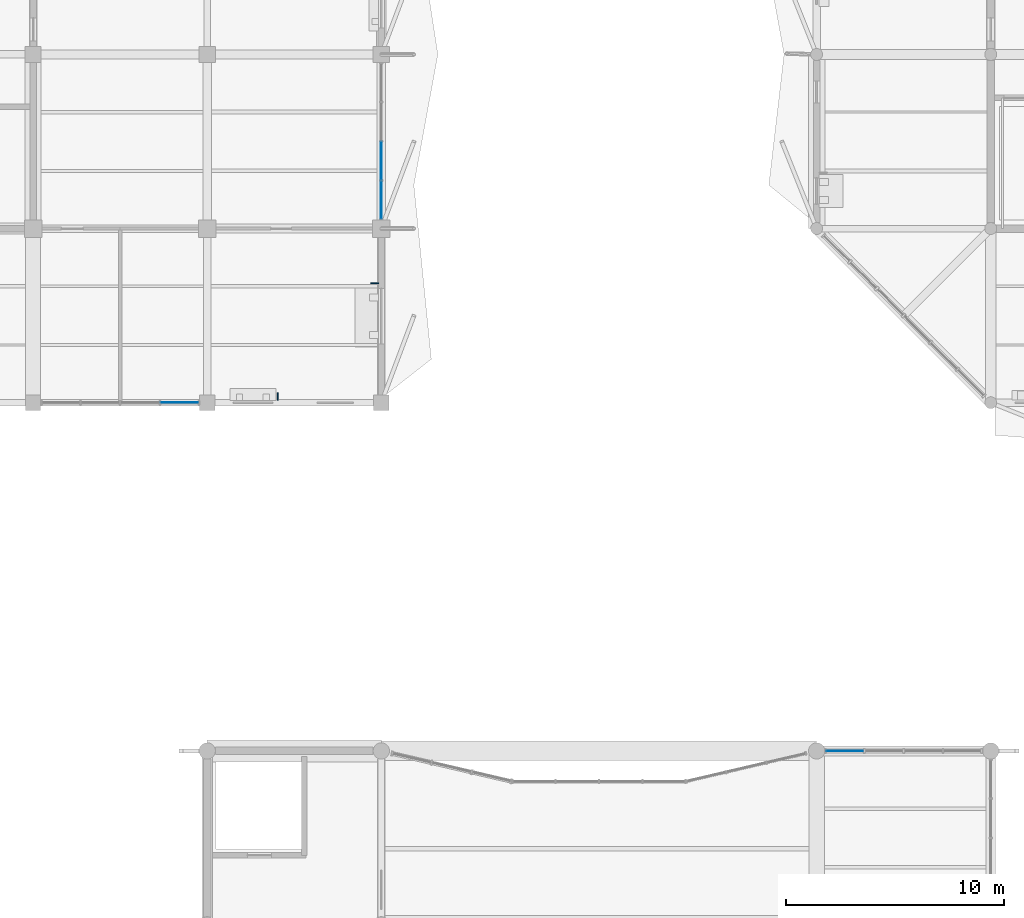
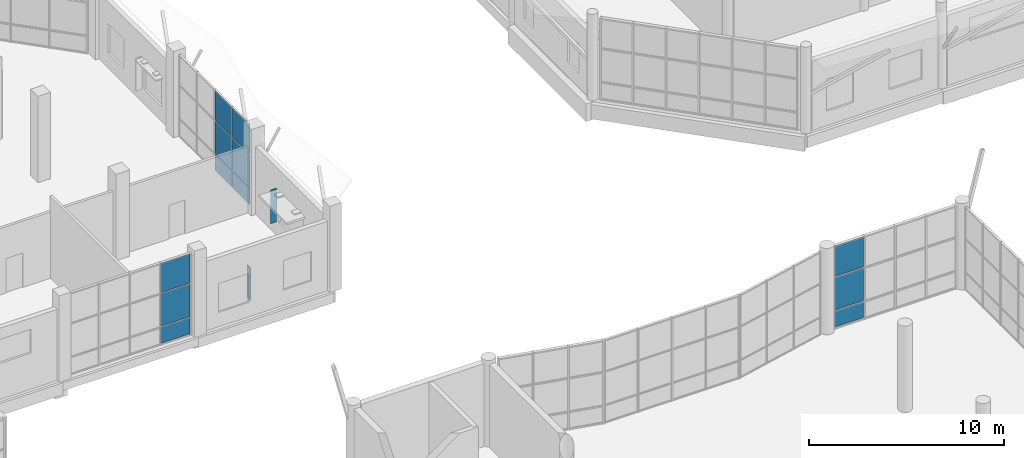
# One storey, part 86 of 122: 14 plates, 3 elements without a shape of their own.
"""IFC4 building model written with IfcOpenShell, lengths in metres."""

from ifc_helpers import new_model, si_unit, direction, frame, origin, origin_2d, place, context, subcontext, project, spatial, rectangle, extrude, material, layer, layer_set, type_object, element, aggregate, save


model = new_model("IFC4")

# Units and contexts
model_context = context("Model", 3, precision=1e-05, world=origin(), true_north=direction((0.0, 1.0)))
body_context = subcontext(model_context, "Body", "Model", "MODEL_VIEW")
ifc_project = project(units=[si_unit("LENGTHUNIT", "METRE"), si_unit("AREAUNIT", "SQUARE_METRE"), si_unit("VOLUMEUNIT", "CUBIC_METRE"), si_unit("PLANEANGLEUNIT", "RADIAN"), si_unit("MASSUNIT", "GRAM", prefix="KILO")], contexts=[model_context])

# Site, building, storey
site_placement = place(None, origin())
site = spatial("IfcSite", under=ifc_project, at=site_placement, CompositionType="ELEMENT")
building_placement = place(site_placement, origin())
building = spatial("IfcBuilding", under=site, at=building_placement, Name="Tenunan Teduh Sports Hall", CompositionType="ELEMENT")
storey_placement = place(building_placement, frame((0.0, 0.0, 5.39990234375)))
storey = spatial("IfcBuildingStorey", under=building, at=storey_placement, Name="L01", CompositionType="ELEMENT", Elevation=5.39990234375)

# Curtain wall, plates
ifc_material_1 = material(Name="Anodised aluminium", Category="aluminium")
curtain_wall_type = type_object("IfcCurtainWallType", Name="CW-UNIT-1", PredefinedType="NOTDEFINED", material=ifc_material_1)
curtain_wall_1_placement = place(storey_placement, origin())
curtain_wall_1 = element("IfcCurtainWall", 1, at=curtain_wall_1_placement, inside=storey, type_object=curtain_wall_type, Name="CW-CWM-175-L01-202", PredefinedType="NOTDEFINED")
ifc_material_2 = material(Name="Low-E laminated double glazing", Category="glass")
ifc_layer_1 = layer(ifc_material_2, 0.028076171875)
ifc_layer_set_1 = layer_set([ifc_layer_1], Name="Low-E laminated double glazing")
plate_type_1 = type_object("IfcPlateType", Name="CWP-GLZ-28", PredefinedType="CURTAIN_PANEL", material=ifc_layer_set_1)
plate_1_placement = place(storey_placement, frame((68.72119140625, 86.0, 1.1328125), z_axis=(0.0, 0.0, 1.0), x_axis=(1.0, 0.0, 0.0)))
plate_1 = element("IfcPlate", 2, at=plate_1_placement, type_object=plate_type_1, Name="CW-01 panel 4.2", PredefinedType="CURTAIN_PANEL", context=body_context, shape_type="SweptSolid", body=[
    extrude(rectangle(XDim=1.7275390625, YDim=0.028076171875, at=origin_2d()), origin(), (0.0, 0.0, 1.0), 2.034912109375),
])
plate_2_placement = place(storey_placement, frame((68.72119140625, 86.0, 3.232421875), z_axis=(0.0, 0.0, 1.0), x_axis=(1.0, 0.0, 0.0)))
plate_2 = element("IfcPlate", 3, at=plate_2_placement, type_object=plate_type_1, Name="CW-01 panel 4.3", PredefinedType="CURTAIN_PANEL", context=body_context, shape_type="SweptSolid", body=[
    extrude(rectangle(XDim=1.7275390625, YDim=0.028076171875, at=origin_2d()), origin(), (0.0, 0.0, 1.0), 1.822509765625),
])

curtain_wall_2_placement = place(storey_placement, origin())
curtain_wall_2 = element("IfcCurtainWall", 4, at=curtain_wall_2_placement, inside=storey, type_object=curtain_wall_type, Name="CW-CWM-220-L01-165", PredefinedType="NOTDEFINED")
ifc_material_3 = material(Name="Solar-control laminated glazing", Category="glass")
ifc_layer_2 = layer(ifc_material_3, 0.031982421875)
ifc_layer_set_2 = layer_set([ifc_layer_2], Name="Solar-control laminated glazing")
plate_type_2 = type_object("IfcPlateType", Name="CWP-GLZ-32", PredefinedType="CURTAIN_PANEL", material=ifc_layer_set_2)
plate_3_placement = place(storey_placement, frame((99.300048828125, 70.0, 1.1376953125), z_axis=(0.0, 0.0, 1.0), x_axis=(1.0, 0.0, 0.0)))
plate_3 = element("IfcPlate", 5, at=plate_3_placement, type_object=plate_type_2, Name="CW-01 panel 1.2", PredefinedType="CURTAIN_PANEL", context=body_context, shape_type="SweptSolid", body=[
    extrude(rectangle(XDim=1.699951171875, YDim=0.031982421875, at=origin_2d()), origin(), (0.0, 0.0, 1.0), 2.02490234375),
])
plate_4_placement = place(storey_placement, frame((99.300048828125, 70.0, 3.23779296875), z_axis=(0.0, 0.0, 1.0), x_axis=(1.0, 0.0, 0.0)))
plate_4 = element("IfcPlate", 6, at=plate_4_placement, type_object=plate_type_2, Name="CW-01 panel 1.3", PredefinedType="CURTAIN_PANEL", context=body_context, shape_type="SweptSolid", body=[
    extrude(rectangle(XDim=1.699951171875, YDim=0.031982421875, at=origin_2d()), origin(), (0.0, 0.0, 1.0), 1.887451171875),
])

curtain_wall_3_placement = place(storey_placement, origin())
curtain_wall_3 = element("IfcCurtainWall", 7, at=curtain_wall_3_placement, inside=storey, type_object=curtain_wall_type, Name="CW-CWM-150-L01-203", PredefinedType="NOTDEFINED")
plate_5_placement = place(storey_placement, frame((78.0, 95.318115234375, 1.130126953125), z_axis=(0.0, 0.0, 1.0), x_axis=(0.0, 1.0, 0.0)))
plate_5 = element("IfcPlate", 8, at=plate_5_placement, type_object=plate_type_2, Name="CW-01 panel 1.2", PredefinedType="CURTAIN_PANEL", context=body_context, shape_type="SweptSolid", body=[
    extrude(rectangle(XDim=1.71630859375, YDim=0.031982421875, at=origin_2d()), origin(), (0.0, 0.0, 1.0), 2.0400390625),
])
plate_6_placement = place(storey_placement, frame((78.0, 95.318115234375, 3.22998046875), z_axis=(0.0, 0.0, 1.0), x_axis=(0.0, 1.0, 0.0)))
plate_6 = element("IfcPlate", 9, at=plate_6_placement, type_object=plate_type_2, Name="CW-01 panel 1.3", PredefinedType="CURTAIN_PANEL", context=body_context, shape_type="SweptSolid", body=[
    extrude(rectangle(XDim=1.71630859375, YDim=0.031982421875, at=origin_2d()), origin(), (0.0, 0.0, 1.0), 1.830078125),
])
plate_7_placement = place(storey_placement, frame((78.0, 97.109375, 1.130126953125), z_axis=(0.0, 0.0, 1.0), x_axis=(0.0, 1.0, 0.0)))
plate_7 = element("IfcPlate", 10, at=plate_7_placement, type_object=plate_type_2, Name="CW-01 panel 2.2", PredefinedType="CURTAIN_PANEL", context=body_context, shape_type="SweptSolid", body=[
    extrude(rectangle(XDim=1.746337890625, YDim=0.031982421875, at=origin_2d()), origin(), (0.0, 0.0, 1.0), 2.0400390625),
])
plate_8_placement = place(storey_placement, frame((78.0, 97.109375, 3.22998046875), z_axis=(0.0, 0.0, 1.0), x_axis=(0.0, 1.0, 0.0)))
plate_8 = element("IfcPlate", 11, at=plate_8_placement, type_object=plate_type_2, Name="CW-01 panel 2.3", PredefinedType="CURTAIN_PANEL", context=body_context, shape_type="SweptSolid", body=[
    extrude(rectangle(XDim=1.746337890625, YDim=0.031982421875, at=origin_2d()), origin(), (0.0, 0.0, 1.0), 1.830078125),
])

# Plate
ifc_material_4 = material(Name="Insulated aluminium spandrel panel", Category="aluminium")
ifc_layer_3 = layer(ifc_material_4, 0.044921875)
ifc_layer_set_3 = layer_set([ifc_layer_3], Name="Insulated aluminium spandrel panel")
plate_type_3 = type_object("IfcPlateType", Name="CWP-SPN-45", PredefinedType="CURTAIN_PANEL", material=ifc_layer_set_3)
plate_9_placement = place(storey_placement, frame((99.300048828125, 70.0, 0.0751953125), z_axis=(0.0, 0.0, 1.0), x_axis=(1.0, 0.0, 0.0)))
plate_9 = element("IfcPlate", 12, at=plate_9_placement, type_object=plate_type_3, Name="CW-01 panel 1.1", PredefinedType="CURTAIN_PANEL", context=body_context, shape_type="SweptSolid", body=[
    extrude(rectangle(XDim=1.699951171875, YDim=0.031982421875, at=origin_2d()), origin(), (0.0, 0.0, 1.0), 0.987548828125),
])

aggregate(curtain_wall_2, [plate_9, plate_3, plate_4])

plate_10_placement = place(storey_placement, frame((68.72119140625, 86.0, 0.065185546875), z_axis=(0.0, 0.0, 1.0), x_axis=(1.0, 0.0, 0.0)))
plate_10 = element("IfcPlate", 13, at=plate_10_placement, type_object=plate_type_3, Name="CW-01 panel 4.1", PredefinedType="CURTAIN_PANEL", context=body_context, shape_type="SweptSolid", body=[
    extrude(rectangle(XDim=1.7275390625, YDim=0.028076171875, at=origin_2d()), origin(), (0.0, 0.0, 1.0), 1.00244140625),
])

aggregate(curtain_wall_1, [plate_10, plate_1, plate_2])

plate_11_placement = place(storey_placement, frame((78.0, 95.318115234375, 0.06005859375), z_axis=(0.0, 0.0, 1.0), x_axis=(0.0, 1.0, 0.0)))
plate_11 = element("IfcPlate", 14, at=plate_11_placement, type_object=plate_type_3, Name="CW-01 panel 1.1", PredefinedType="CURTAIN_PANEL", context=body_context, shape_type="SweptSolid", body=[
    extrude(rectangle(XDim=1.71630859375, YDim=0.031982421875, at=origin_2d()), origin(), (0.0, 0.0, 1.0), 1.010009765625),
])

plate_12_placement = place(storey_placement, frame((78.0, 97.109375, 0.06005859375), z_axis=(0.0, 0.0, 1.0), x_axis=(0.0, 1.0, 0.0)))
plate_12 = element("IfcPlate", 15, at=plate_12_placement, type_object=plate_type_3, Name="CW-01 panel 2.1", PredefinedType="CURTAIN_PANEL", context=body_context, shape_type="SweptSolid", body=[
    extrude(rectangle(XDim=1.746337890625, YDim=0.031982421875, at=origin_2d()), origin(), (0.0, 0.0, 1.0), 1.010009765625),
])

aggregate(curtain_wall_3, [plate_11, plate_5, plate_6, plate_12, plate_7, plate_8])

# Plates
ifc_material_5 = material(Name="Anodised aluminium", Category="aluminium")
ifc_layer_4 = layer(ifc_material_5, 1.89990234375)
ifc_layer_set_4 = layer_set([ifc_layer_4], Name="Anodised aluminium")
plate_type_4 = type_object("IfcPlateType", Name="PLT-FIN-1", PredefinedType="SHEET", material=ifc_layer_set_4)
plate_13_placement = place(storey_placement, frame((73.239990234375, 86.284912109375, 0.780029296875), z_axis=(0.0, 0.0, 1.0), x_axis=(1.0, 0.0, 0.0)))
element("IfcPlate", 16, at=plate_13_placement, inside=storey, type_object=plate_type_4, Name="PLT-FIN-L01-028", PredefinedType="SHEET", context=body_context, shape_type="SweptSolid", body=[
    extrude(rectangle(XDim=0.0400390625, YDim=0.360107421875, at=origin_2d()), origin(), (0.0, 0.0, 1.0), 2.0400390625),
])
plate_14_placement = place(storey_placement, frame((77.699951171875, 91.489990234375, 0.830078125), z_axis=(0.0, 0.0, 1.0), x_axis=(0.0, 1.0, 0.0)))
element("IfcPlate", 17, at=plate_14_placement, inside=storey, type_object=plate_type_4, Name="PLT-FIN-L01-029", PredefinedType="SHEET", context=body_context, shape_type="SweptSolid", body=[
    extrude(rectangle(XDim=0.0400390625, YDim=0.360107421875, at=origin_2d()), origin(), (0.0, 0.0, 1.0), 2.090087890625),
])

save(model, "model.ifc")
